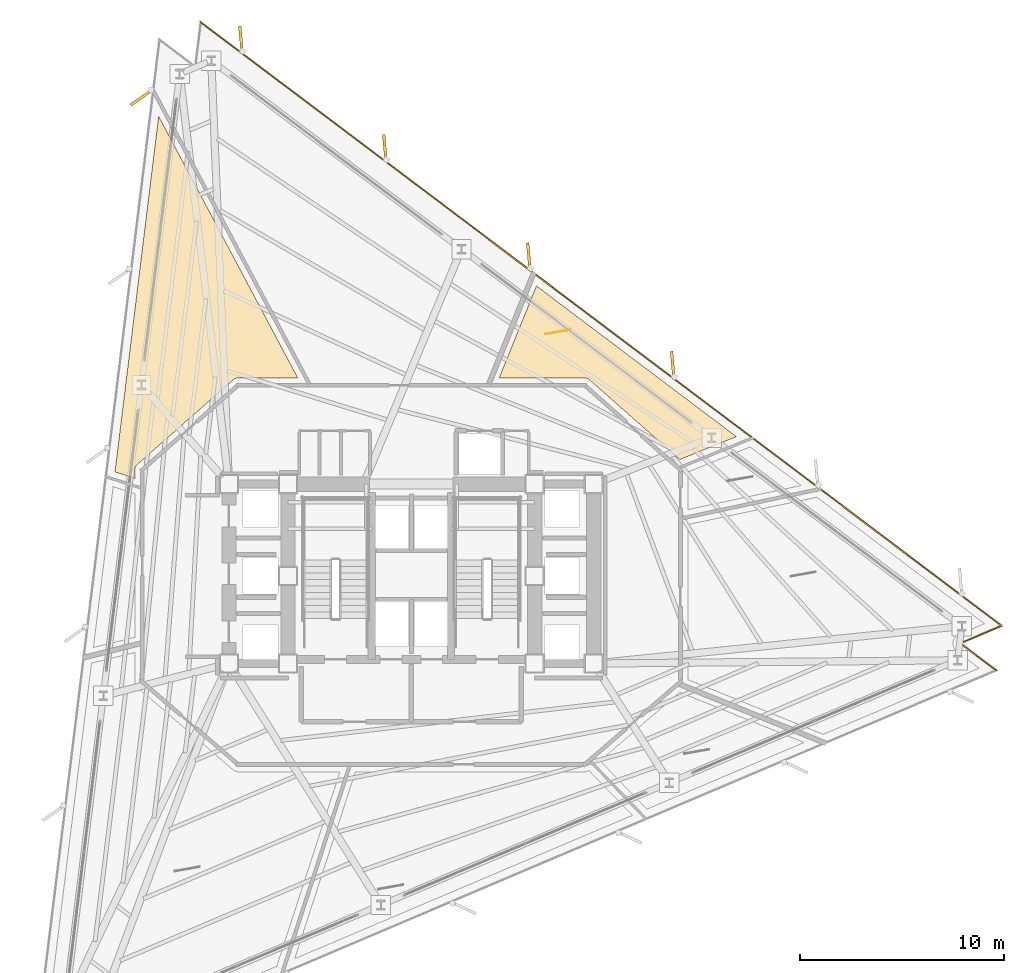
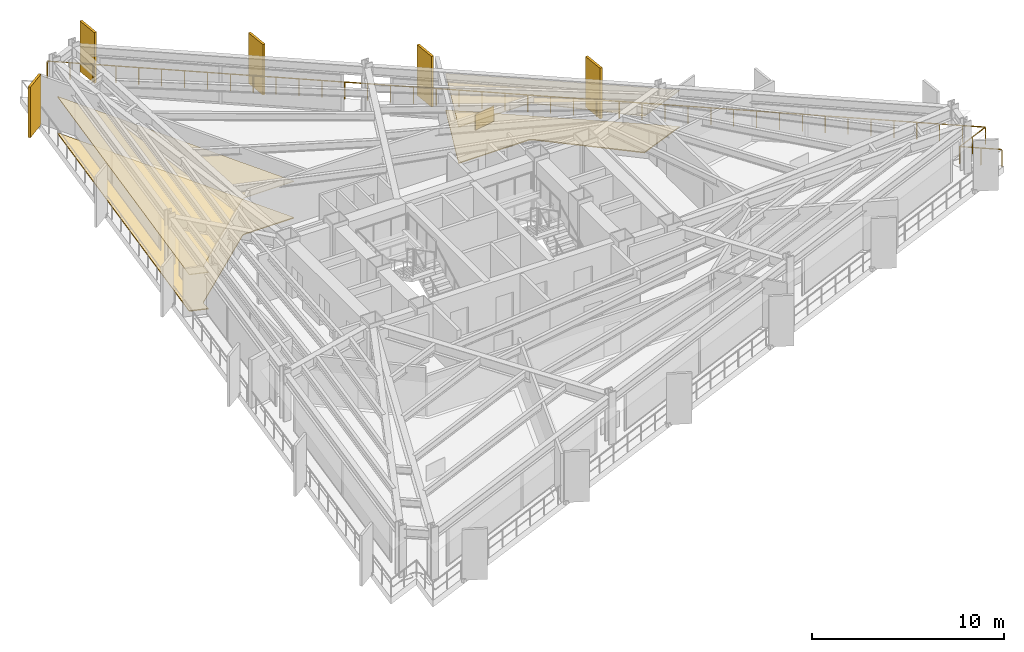
# One storey, part 13 of 13: 5 coverings, 5 shading devices, 1 railing.
"""IFC4 building model written with IfcOpenShell, lengths in metres."""

import ifcopenshell
import ifcopenshell.guid

model = None  # the IFC model being written
_history = None  # IfcOwnerHistory: only IFC2X3 demands one
_inside = {}  # id of a spatial element -> (the spatial element, [elements in it])
_under = {}  # id of a project, library or spatial element -> (it, [spatial elements below it])
_declared = {}  # id of a project -> (the project, [libraries it declares])
_typed = {}  # id of a type object -> (the type object, [elements of that type])
_made_of = {}  # id of a material, layer set ... -> (it, [elements and type objects made of it])


def new_model(schema):
    """Start an empty IFC model of exactly this schema.

    Asked for "IFC4X3", IfcOpenShell would pick the latest addendum, in which some entities
    have other attributes; the version numbers below select the first issue.
    IFC2X3 requires an IfcOwnerHistory on every rooted entity: one is made here for all.
    """
    global model, _history
    if schema == "IFC4X3":
        model = ifcopenshell.file(schema_version=(4, 3, 0, 0))
    else:
        model = ifcopenshell.file(schema=schema)
    _inside.clear()
    _under.clear()
    _declared.clear()
    _typed.clear()
    _made_of.clear()
    _history = None
    if model.schema == "IFC2X3":
        org = make("IfcOrganization", Name="unknown")
        user = make(
            "IfcPersonAndOrganization",
            ThePerson=make("IfcPerson", FamilyName="unknown"),
            TheOrganization=org,
        )
        app = make(
            "IfcApplication",
            ApplicationDeveloper=org,
            Version="unknown",
            ApplicationFullName="unknown",
            ApplicationIdentifier="unknown",
        )
        _history = make(
            "IfcOwnerHistory",
            OwningUser=user,
            OwningApplication=app,
            ChangeAction="ADDED",
            CreationDate=0,
        )
    return model


def make(cls, **values):
    """One entity of the class cls with the attributes given. An attribute that is None is left unset."""
    return model.create_entity(
        cls, **{name: value for name, value in values.items() if value is not None}
    )


def rooted(cls, **values):
    """An entity with a GlobalId (a new one), such as an element, a storey or a relation."""
    return make(cls, GlobalId=ifcopenshell.guid.new(), OwnerHistory=_history, **values)


def si_unit(unit_type, name, prefix=None):
    """IfcSIUnit, for example si_unit("LENGTHUNIT", "METRE", prefix="MILLI")."""
    return make("IfcSIUnit", UnitType=unit_type, Prefix=prefix, Name=name)


def assignment(units):
    """IfcUnitAssignment: the units of a project."""
    return None if units is None else make("IfcUnitAssignment", Units=units)


def point(xyz):
    """IfcCartesianPoint."""
    return None if xyz is None else make("IfcCartesianPoint", Coordinates=xyz)


def direction(xyz):
    """IfcDirection."""
    return None if xyz is None else make("IfcDirection", DirectionRatios=xyz)


def frame(location, z_axis=None, x_axis=None):
    """IfcAxis2Placement3D, a coordinate frame: its origin and axes. An axis left out is left unset."""
    return make(
        "IfcAxis2Placement3D",
        Location=point(location),
        Axis=direction(z_axis),
        RefDirection=direction(x_axis),
    )


def frame_2d(location, x_axis=None):
    """IfcAxis2Placement2D, a coordinate frame in the plane: its origin and x axis."""
    return make(
        "IfcAxis2Placement2D", Location=point(location), RefDirection=direction(x_axis)
    )


def origin():
    """The frame at (0, 0, 0) with its axes left unset."""
    return frame((0.0, 0.0, 0.0))


def origin_2d():
    """The frame at (0, 0) in the plane with its x axis left unset."""
    return frame_2d((0.0, 0.0))


def place(relative_to, where):
    """IfcLocalPlacement: puts the frame where relative to a parent placement (None: the world)."""
    return make(
        "IfcLocalPlacement", PlacementRelTo=relative_to, RelativePlacement=where
    )


def context(
    kind, dimensions, precision=None, world=None, true_north=None, identifier=None
):
    """IfcGeometricRepresentationContext, for example the 3D "Model" context."""
    return make(
        "IfcGeometricRepresentationContext",
        ContextIdentifier=identifier,
        ContextType=kind,
        CoordinateSpaceDimension=dimensions,
        Precision=precision,
        WorldCoordinateSystem=world,
        TrueNorth=true_north,
    )


def subcontext(parent, identifier, kind, view, scale=None):
    """IfcGeometricRepresentationSubContext, for example "Body" below "Model"."""
    return make(
        "IfcGeometricRepresentationSubContext",
        ContextIdentifier=identifier,
        ContextType=kind,
        ParentContext=parent,
        TargetScale=scale,
        TargetView=view,
    )


def project(units=None, contexts=None):
    """IfcProject with its units and contexts."""
    return rooted(
        "IfcProject",
        Name="project",
        RepresentationContexts=contexts,
        UnitsInContext=assignment(units),
    )


def spatial(cls, under=None, at=None, **own):
    """A site, building, storey or space (cls), placed at a placement, below another one or the project."""
    s = rooted(cls, ObjectPlacement=at, **own)
    if under is not None:
        _under.setdefault(under.id(), (under, []))[1].append(s)
    return s


def polyline(points):
    """IfcPolyline through the points."""
    return make("IfcPolyline", Points=[point(p) for p in points])


def profile(cls, at=None, kind="AREA", **sizes):
    """A parametric profile (cls). Its sizes go by their IFC names, for example OverallWidth=200.0."""
    return make(cls, ProfileType=kind, Position=at, **sizes)


def rectangle(**sizes):
    """IfcRectangleProfileDef."""
    return profile("IfcRectangleProfileDef", **sizes)


def outline(outer, holes=None, kind="AREA"):
    """IfcArbitraryClosedProfileDef: a profile drawn as a closed curve; with holes, ...WithVoids."""
    if holes is None:
        return make("IfcArbitraryClosedProfileDef", ProfileType=kind, OuterCurve=outer)
    return make(
        "IfcArbitraryProfileDefWithVoids",
        ProfileType=kind,
        OuterCurve=outer,
        InnerCurves=holes,
    )


def extrude(swept, where, along, depth):
    """IfcExtrudedAreaSolid: the profile swept, set in the frame where, extruded along a direction by depth."""
    return make(
        "IfcExtrudedAreaSolid",
        SweptArea=swept,
        Position=where,
        ExtrudedDirection=direction(along),
        Depth=depth,
    )


def shape(context_of_items, identifier, shape_type, items):
    """IfcShapeRepresentation: the items that make up one representation, for example the "Body"."""
    return make(
        "IfcShapeRepresentation",
        ContextOfItems=context_of_items,
        RepresentationIdentifier=identifier,
        RepresentationType=shape_type,
        Items=items,
    )


def material(Name=None, Category=None):
    """IfcMaterial."""
    return make("IfcMaterial", Name=Name, Category=Category)


def layer(
    of_material, thickness, ventilated=None, Name=None, Category=None, Priority=None
):
    """IfcMaterialLayer: one layer of a wall or slab, of a material (None: an air gap)."""
    return make(
        "IfcMaterialLayer",
        Material=of_material,
        LayerThickness=thickness,
        IsVentilated=ventilated,
        Name=Name,
        Category=Category,
        Priority=Priority,
    )


def layer_set(layers, Name=None):
    """IfcMaterialLayerSet."""
    return make("IfcMaterialLayerSet", MaterialLayers=layers, LayerSetName=Name)


def made_of(thing, what):
    """Note that an element or type object is made of a material, layer set ...; save() writes the relation."""
    if what is not None:
        _made_of.setdefault(what.id(), (what, []))[1].append(thing)
    return thing


def type_object(cls, material=None, **own):
    """A type object (cls), such as IfcWallType, which elements share."""
    return made_of(rooted(cls, **own), material)


def element(
    cls,
    number,
    at=None,
    inside=None,
    cuts=None,
    type_object=None,
    material=None,
    context=None,
    identifier="Body",
    shape_type=None,
    held_by="IfcProductDefinitionShape",
    body=None,
    shapes=None,
    **own,
):
    """One element of the class cls, such as IfcWall. Its Tag is "e" and its number.

    at: its placement. inside: the storey or other place that contains it. cuts: it is an
    opening in that element (IfcRelVoidsElement). A single representation is given by context,
    identifier, shape_type and body (its items); several are given by shapes. held_by: the class
    of the entity that holds the representations. save() writes the other relations.
    """
    e = rooted(cls, Tag="e%d" % number, ObjectPlacement=at, **own)
    if body is not None:
        shapes = [shape(context, identifier, shape_type, body)]
    if shapes is not None:
        e.Representation = make(held_by, Representations=shapes)
    if inside is not None:
        _inside.setdefault(inside.id(), (inside, []))[1].append(e)
    if cuts is not None:
        rooted(
            "IfcRelVoidsElement", RelatingBuildingElement=cuts, RelatedOpeningElement=e
        )
    if type_object is not None:
        _typed.setdefault(type_object.id(), (type_object, []))[1].append(e)
    return made_of(e, material)


def aggregate(whole, parts):
    """IfcRelAggregates: a whole, such as a stair, and the parts it consists of."""
    return rooted("IfcRelAggregates", RelatingObject=whole, RelatedObjects=parts)


def save(model, path):
    """Write the relations noted so far, then the file.

    IfcRelAggregates (storeys below a building ...), IfcRelContainedInSpatialStructure (elements
    in a storey), IfcRelDefinesByType, IfcRelAssociatesMaterial and IfcRelDeclares: one each for
    every whole, place, type object, material and project.
    """
    for whole, parts in _under.values():
        aggregate(whole, parts)
    for where, things in _inside.values():
        rooted(
            "IfcRelContainedInSpatialStructure",
            RelatedElements=things,
            RelatingStructure=where,
        )
    for kind, things in _typed.values():
        rooted("IfcRelDefinesByType", RelatedObjects=things, RelatingType=kind)
    for what, things in _made_of.values():
        rooted("IfcRelAssociatesMaterial", RelatedObjects=things, RelatingMaterial=what)
    for by, libraries in _declared.values():
        rooted("IfcRelDeclares", RelatingContext=by, RelatedDefinitions=libraries)
    model.write(path)


model = new_model("IFC4")

# Units and contexts
model_context = context("Model", 3, precision=1e-05, world=origin(), true_north=direction((0.0, 1.0)))
body_context = subcontext(model_context, "Body", "Model", "MODEL_VIEW")
ifc_project = project(units=[si_unit("LENGTHUNIT", "METRE"), si_unit("AREAUNIT", "SQUARE_METRE"), si_unit("VOLUMEUNIT", "CUBIC_METRE"), si_unit("PLANEANGLEUNIT", "RADIAN"), si_unit("MASSUNIT", "GRAM", prefix="KILO")], contexts=[model_context])

# Site, building, storey
site_placement = place(None, origin())
site = spatial("IfcSite", under=ifc_project, at=site_placement, CompositionType="ELEMENT")
building_placement = place(site_placement, origin())
building = spatial("IfcBuilding", under=site, at=building_placement, Name="Rocaltana Carrier Exchange", CompositionType="ELEMENT")
storey_placement = place(building_placement, frame((0.0, 0.0, 49.60009765625)))
storey = spatial("IfcBuildingStorey", under=building, at=storey_placement, Name="L15", CompositionType="ELEMENT", Elevation=49.60009765625)

# Coverings
ifc_material_1 = material(Name="Calcium Sulphate & Aluminium Pedestal", Category="aluminium")
ifc_layer_1 = layer(ifc_material_1, 0.06005859375)
ifc_layer_set_1 = layer_set([ifc_layer_1], Name="Calcium Sulphate & Aluminium Pedestal")
covering_type_1 = type_object("IfcCoveringType", Name="Anti-Static Raised Exchange Access Floor 60", PredefinedType="FLOORING", material=ifc_layer_set_1)
covering_1_placement = place(storey_placement, origin())
element("IfcCovering", 1, at=covering_1_placement, inside=storey, type_object=covering_type_1, Name="L15 Network Engineering Studio Finish Floor", PredefinedType="FLOORING", context=body_context, shape_type="SweptSolid", body=[
    extrude(outline(polyline([(15.944580078125, 6.830322265625), (13.16796875, 5.70849609375), (8.73828125, 9.619873046875), (8.727294921875, 9.629150390625), (8.720703125, 9.63427734375), (8.697265625, 9.651123046875), (8.690185546875, 9.655517578125), (8.6650390625, 9.669921875), (8.65771484375, 9.673583984375), (8.631103515625, 9.68505859375), (8.62353515625, 9.68798828125), (8.595947265625, 9.697021484375), (8.587890625, 9.698974609375), (8.5595703125, 9.704833984375), (8.551513671875, 9.706298828125), (8.522705078125, 9.709228515625), (8.514404296875, 9.709716796875), (8.5, 9.7099609375), (4.311279296875, 9.7099609375), (6.134521484375, 14.222900390625), (15.944580078125, 6.830322265625)])), origin(), (0.0, 0.0, 1.0), 0.059814453125),
])
covering_2_placement = place(storey_placement, origin())
element("IfcCovering", 2, at=covering_2_placement, inside=storey, type_object=covering_type_1, Name="L15 Photonic Integration Workshop Finish Floor", PredefinedType="FLOORING", context=body_context, shape_type="SweptSolid", body=[
    extrude(outline(polyline([(-12.3955078125, 22.545654296875), (-5.570556640625, 9.7099609375), (-8.5, 9.7099609375), (-8.514404296875, 9.709716796875), (-8.522705078125, 9.709228515625), (-8.551513671875, 9.706298828125), (-8.5595703125, 9.704833984375), (-8.587890625, 9.698974609375), (-8.595947265625, 9.697021484375), (-8.62353515625, 9.68798828125), (-8.631103515625, 9.68505859375), (-8.65771484375, 9.673583984375), (-8.6650390625, 9.669921875), (-8.690185546875, 9.655517578125), (-8.697265625, 9.651123046875), (-8.720703125, 9.63427734375), (-8.727294921875, 9.629150390625), (-8.73828125, 9.619873046875), (-13.438232421875, 5.469970703125), (-13.447998046875, 5.4609375), (-13.453369140625, 5.455810546875), (-13.471435546875, 5.436279296875), (-13.476318359375, 5.4306640625), (-13.492431640625, 5.409912109375), (-13.49658203125, 5.40380859375), (-13.5107421875, 5.38134765625), (-13.5146484375, 5.375), (-13.526611328125, 5.351318359375), (-13.529541015625, 5.344482421875), (-13.539306640625, 5.320068359375), (-13.541748046875, 5.31298828125), (-13.549072265625, 5.28759765625), (-13.55078125, 5.2802734375), (-13.555908203125, 5.25439453125), (-13.556884765625, 5.246826171875), (-13.559326171875, 5.220703125), (-13.559814453125, 5.213134765625), (-13.56005859375, 5.199951171875), (-13.56005859375, 4.784423828125), (-14.537353515625, 5.10205078125), (-12.3955078125, 22.545654296875)])), origin(), (0.0, 0.0, 1.0), 0.059814453125),
])
ifc_material_2 = material(Name="Mineral Fibre & Powder-Coated Aluminium", Category="aluminium")
ifc_layer_2 = layer(ifc_material_2, 0.044921875)
ifc_layer_set_2 = layer_set([ifc_layer_2], Name="Mineral Fibre & Powder-Coated Aluminium")
covering_type_2 = type_object("IfcCoveringType", Name="Micro-Perforated Acoustic Ceiling 45", PredefinedType="CEILING", material=ifc_layer_set_2)
covering_3_placement = place(storey_placement, frame((0.0, 0.0, 2.322998046875)))
element("IfcCovering", 3, at=covering_3_placement, inside=storey, type_object=covering_type_2, Name="L15 Network Engineering Studio Acoustic Ceiling", PredefinedType="CEILING", context=body_context, shape_type="SweptSolid", body=[
    extrude(outline(polyline([(15.944580078125, 6.830322265625), (13.16796875, 5.70849609375), (8.73828125, 9.619873046875), (8.727294921875, 9.629150390625), (8.720703125, 9.63427734375), (8.697265625, 9.651123046875), (8.690185546875, 9.655517578125), (8.6650390625, 9.669921875), (8.65771484375, 9.673583984375), (8.631103515625, 9.68505859375), (8.62353515625, 9.68798828125), (8.595947265625, 9.697021484375), (8.587890625, 9.698974609375), (8.5595703125, 9.704833984375), (8.551513671875, 9.706298828125), (8.522705078125, 9.709228515625), (8.514404296875, 9.709716796875), (8.5, 9.7099609375), (4.311279296875, 9.7099609375), (6.134521484375, 14.222900390625), (15.944580078125, 6.830322265625)])), origin(), (0.0, 0.0, 1.0), 0.044921875),
])
covering_4_placement = place(storey_placement, frame((0.0, 0.0, 2.322998046875)))
element("IfcCovering", 4, at=covering_4_placement, inside=storey, type_object=covering_type_2, Name="L15 Photonic Integration Workshop Acoustic Ceiling", PredefinedType="CEILING", context=body_context, shape_type="SweptSolid", body=[
    extrude(outline(polyline([(-12.3955078125, 22.545654296875), (-5.570556640625, 9.7099609375), (-8.5, 9.7099609375), (-8.514404296875, 9.709716796875), (-8.522705078125, 9.709228515625), (-8.551513671875, 9.706298828125), (-8.5595703125, 9.704833984375), (-8.587890625, 9.698974609375), (-8.595947265625, 9.697021484375), (-8.62353515625, 9.68798828125), (-8.631103515625, 9.68505859375), (-8.65771484375, 9.673583984375), (-8.6650390625, 9.669921875), (-8.690185546875, 9.655517578125), (-8.697265625, 9.651123046875), (-8.720703125, 9.63427734375), (-8.727294921875, 9.629150390625), (-8.73828125, 9.619873046875), (-13.438232421875, 5.469970703125), (-13.447998046875, 5.4609375), (-13.453369140625, 5.455810546875), (-13.471435546875, 5.436279296875), (-13.476318359375, 5.4306640625), (-13.492431640625, 5.409912109375), (-13.49658203125, 5.40380859375), (-13.5107421875, 5.38134765625), (-13.5146484375, 5.375), (-13.526611328125, 5.351318359375), (-13.529541015625, 5.344482421875), (-13.539306640625, 5.320068359375), (-13.541748046875, 5.31298828125), (-13.549072265625, 5.28759765625), (-13.55078125, 5.2802734375), (-13.555908203125, 5.25439453125), (-13.556884765625, 5.246826171875), (-13.559326171875, 5.220703125), (-13.559814453125, 5.213134765625), (-13.56005859375, 5.199951171875), (-13.56005859375, 4.784423828125), (-14.537353515625, 5.10205078125), (-12.3955078125, 22.545654296875)])), origin(), (0.0, 0.0, 1.0), 0.044921875),
])
ifc_material_3 = material(Name="Honed Piedra Muneca Sandstone", Category="masonry")
ifc_layer_3 = layer(ifc_material_3, 0.034912109375)
ifc_layer_set_3 = layer_set([ifc_layer_3], Name="Honed Piedra Muneca Sandstone")
covering_type_3 = type_object("IfcCoveringType", Name="Stone Facade Cladding 35", PredefinedType="CLADDING", material=ifc_layer_set_3)
covering_5_placement = place(storey_placement, frame((7.176025390625, 11.96630859375, 0.0), z_axis=(0.0, 0.0, 1.0), x_axis=(0.984807753012, 0.173648177667, 0.0)))
element("IfcCovering", 5, at=covering_5_placement, inside=storey, type_object=covering_type_3, Name="L15 Stone Facade Cladding Panel 6", PredefinedType="CLADDING", context=body_context, shape_type="SweptSolid", body=[
    extrude(rectangle(XDim=1.25, YDim=0.034912109375, at=origin_2d()), origin(), (0.0, 0.0, 1.0), 1.050048828125),
])

# Shading devices
ifc_material_4 = material(Name="Honed Bogota Sandstone & Concrete C45/55", Category="masonry")
ifc_layer_4 = layer(ifc_material_4, 0.139892578125)
ifc_layer_set_4 = layer_set([ifc_layer_4], Name="Honed Bogota Sandstone & Concrete C45/55")
shading_device_type = type_object("IfcShadingDeviceType", Name="Vertical Sandstone Shading Fin 1320x140", PredefinedType="USERDEFINED", material=ifc_layer_set_4)
for number, where, z_axis, x_axis, name in (
    (6, (12.822509765625, 10.361083984375, -0.1201171875), (0.0, 0.0, 1.0), (-0.087155742748, 0.996194698092, 0.0), "L15 Sandstone Vertical Fin F1-03"),
    (7, (5.7626953125, 15.680908203125, -0.1201171875), (0.0, 0.0, 1.0), (-0.087155742748, 0.996194698092, 0.0), "L15 Sandstone Vertical Fin F1-04"),
    (8, (-1.29736328125, 21.001220703125, -0.1201171875), (0.0, 0.0, 1.0), (-0.087155742748, 0.996194698092, 0.0), "L15 Sandstone Vertical Fin F1-05"),
    (9, (-8.357421875, 26.321044921875, -0.1201171875), (0.0, 0.0, 1.0), (-0.087155742748, 0.996194698092, 0.0), "L15 Sandstone Vertical Fin F1-06"),
    (10, (-13.2294921875, 23.472412109375, -0.1201171875), (0.0, 0.0, 1.0), (-0.819152044289, -0.573576436351, 0.0), "L15 Sandstone Vertical Fin F2-01"),
):
    element("IfcShadingDevice", number, at=place(storey_placement, frame(where, z_axis=z_axis, x_axis=x_axis)), inside=storey, type_object=shading_device_type, Name=name, ObjectType="FIN", PredefinedType="USERDEFINED", context=body_context, shape_type="SweptSolid", body=[
        extrude(rectangle(XDim=1.320068359375, YDim=0.139892578125, at=origin_2d()), origin(), (0.0, 0.0, 1.0), 3.218017578125),
    ])

# Railing
ifc_material_5 = material(Name="Powder-Coated Aluminium 6063-T6", Category="aluminium")
ifc_layer_5 = layer(ifc_material_5, 0.06005859375)
ifc_layer_set_5 = layer_set([ifc_layer_5], Name="Powder-Coated Aluminium 6063-T6")
railing_type = type_object("IfcRailingType", Name="Wind-Floor & Terrace Perimeter Guardrail 1100", PredefinedType="GUARDRAIL", material=ifc_layer_set_5)
railing_placement = place(storey_placement, frame((-10.332763671875, 27.15771484375, 0.0)))
element("IfcRailing", 11, at=railing_placement, inside=storey, type_object=railing_type, Name="L15 Perimeter Balcony Guardrail 3", PredefinedType="GUARDRAIL", context=body_context, shape_type="SweptSolid", body=[
    extrude(rectangle(XDim=0.048095703125, YDim=0.048095703125, at=origin_2d()), frame((0.0, 0.0, 1.076171875), z_axis=(0.798636489562, -0.60181372329, 0.0), x_axis=(0.60181372329, 0.798636489562, 0.0)), (0.0, 0.0, 1.0), 49.192138671875),
    extrude(rectangle(XDim=0.048095703125, YDim=0.048095703125, at=origin_2d()), frame((39.28662109375, -29.6044921875, 1.076171875), z_axis=(-0.92050559585, -0.390729379504, 0.0), x_axis=(0.390729379504, -0.92050559585, 0.0)), (0.0, 0.0, 1.0), 2.199951171875),
    extrude(rectangle(XDim=0.048095703125, YDim=0.048095703125, at=origin_2d()), frame((37.261474609375, -30.464111328125, 1.076171875), z_axis=(0.798653030423, -0.601791772125, 0.0), x_axis=(0.601791772125, 0.798653030423, 0.0)), (0.0, 0.0, 1.0), 2.199951171875),
    extrude(rectangle(XDim=0.0419921875, YDim=0.0419921875, at=origin_2d()), origin(), (0.0, 0.0, 1.0), 1.052001953125),
    extrude(rectangle(XDim=0.0419921875, YDim=0.0419921875, at=origin_2d()), frame((0.958251953125, -0.72216796875, 0.0)), (0.0, 0.0, 1.0), 1.052001953125),
    extrude(rectangle(XDim=0.0419921875, YDim=0.0419921875, at=origin_2d()), frame((1.91650390625, -1.444091796875, 0.0)), (0.0, 0.0, 1.0), 1.052001953125),
    extrude(rectangle(XDim=0.0419921875, YDim=0.0419921875, at=origin_2d()), frame((2.87451171875, -2.166259765625, 0.0)), (0.0, 0.0, 1.0), 1.052001953125),
    extrude(rectangle(XDim=0.0419921875, YDim=0.0419921875, at=origin_2d()), frame((3.832763671875, -2.88818359375, 0.0)), (0.0, 0.0, 1.0), 1.052001953125),
    extrude(rectangle(XDim=0.0419921875, YDim=0.0419921875, at=origin_2d()), frame((4.791015625, -3.6103515625, 0.0)), (0.0, 0.0, 1.0), 1.052001953125),
    extrude(rectangle(XDim=0.0419921875, YDim=0.0419921875, at=origin_2d()), frame((5.749267578125, -4.332275390625, 0.0)), (0.0, 0.0, 1.0), 1.052001953125),
    extrude(rectangle(XDim=0.0419921875, YDim=0.0419921875, at=origin_2d()), frame((6.70751953125, -5.054443359375, 0.0)), (0.0, 0.0, 1.0), 1.052001953125),
    extrude(rectangle(XDim=0.0419921875, YDim=0.0419921875, at=origin_2d()), frame((7.665771484375, -5.7763671875, 0.0)), (0.0, 0.0, 1.0), 1.052001953125),
    extrude(rectangle(XDim=0.0419921875, YDim=0.0419921875, at=origin_2d()), frame((8.623779296875, -6.49853515625, 0.0)), (0.0, 0.0, 1.0), 1.052001953125),
    extrude(rectangle(XDim=0.0419921875, YDim=0.0419921875, at=origin_2d()), frame((9.58203125, -7.220703125, 0.0)), (0.0, 0.0, 1.0), 1.052001953125),
    extrude(rectangle(XDim=0.0419921875, YDim=0.0419921875, at=origin_2d()), frame((10.540283203125, -7.942626953125, 0.0)), (0.0, 0.0, 1.0), 1.052001953125),
    extrude(rectangle(XDim=0.0419921875, YDim=0.0419921875, at=origin_2d()), frame((11.49853515625, -8.664794921875, 0.0)), (0.0, 0.0, 1.0), 1.052001953125),
    extrude(rectangle(XDim=0.0419921875, YDim=0.0419921875, at=origin_2d()), frame((12.456787109375, -9.38671875, 0.0)), (0.0, 0.0, 1.0), 1.052001953125),
    extrude(rectangle(XDim=0.0419921875, YDim=0.0419921875, at=origin_2d()), frame((13.4150390625, -10.10888671875, 0.0)), (0.0, 0.0, 1.0), 1.052001953125),
    extrude(rectangle(XDim=0.0419921875, YDim=0.0419921875, at=origin_2d()), frame((14.373046875, -10.830810546875, 0.0)), (0.0, 0.0, 1.0), 1.052001953125),
    extrude(rectangle(XDim=0.0419921875, YDim=0.0419921875, at=origin_2d()), frame((15.331298828125, -11.552978515625, 0.0)), (0.0, 0.0, 1.0), 1.052001953125),
    extrude(rectangle(XDim=0.0419921875, YDim=0.0419921875, at=origin_2d()), frame((16.28955078125, -12.275146484375, 0.0)), (0.0, 0.0, 1.0), 1.052001953125),
    extrude(rectangle(XDim=0.0419921875, YDim=0.0419921875, at=origin_2d()), frame((17.247802734375, -12.9970703125, 0.0)), (0.0, 0.0, 1.0), 1.052001953125),
    extrude(rectangle(XDim=0.0419921875, YDim=0.0419921875, at=origin_2d()), frame((18.2060546875, -13.71923828125, 0.0)), (0.0, 0.0, 1.0), 1.052001953125),
    extrude(rectangle(XDim=0.0419921875, YDim=0.0419921875, at=origin_2d()), frame((19.164306640625, -14.441162109375, 0.0)), (0.0, 0.0, 1.0), 1.052001953125),
    extrude(rectangle(XDim=0.0419921875, YDim=0.0419921875, at=origin_2d()), frame((20.122314453125, -15.163330078125, 0.0)), (0.0, 0.0, 1.0), 1.052001953125),
    extrude(rectangle(XDim=0.0419921875, YDim=0.0419921875, at=origin_2d()), frame((21.08056640625, -15.88525390625, 0.0)), (0.0, 0.0, 1.0), 1.052001953125),
    extrude(rectangle(XDim=0.0419921875, YDim=0.0419921875, at=origin_2d()), frame((22.038818359375, -16.607421875, 0.0)), (0.0, 0.0, 1.0), 1.052001953125),
    extrude(rectangle(XDim=0.0419921875, YDim=0.0419921875, at=origin_2d()), frame((22.9970703125, -17.329345703125, 0.0)), (0.0, 0.0, 1.0), 1.052001953125),
    extrude(rectangle(XDim=0.0419921875, YDim=0.0419921875, at=origin_2d()), frame((23.955322265625, -18.051513671875, 0.0)), (0.0, 0.0, 1.0), 1.052001953125),
    extrude(rectangle(XDim=0.0419921875, YDim=0.0419921875, at=origin_2d()), frame((24.91357421875, -18.773681640625, 0.0)), (0.0, 0.0, 1.0), 1.052001953125),
    extrude(rectangle(XDim=0.0419921875, YDim=0.0419921875, at=origin_2d()), frame((25.87158203125, -19.49560546875, 0.0)), (0.0, 0.0, 1.0), 1.052001953125),
    extrude(rectangle(XDim=0.0419921875, YDim=0.0419921875, at=origin_2d()), frame((26.829833984375, -20.2177734375, 0.0)), (0.0, 0.0, 1.0), 1.052001953125),
    extrude(rectangle(XDim=0.0419921875, YDim=0.0419921875, at=origin_2d()), frame((27.7880859375, -20.939697265625, 0.0)), (0.0, 0.0, 1.0), 1.052001953125),
    extrude(rectangle(XDim=0.0419921875, YDim=0.0419921875, at=origin_2d()), frame((28.746337890625, -21.661865234375, 0.0)), (0.0, 0.0, 1.0), 1.052001953125),
    extrude(rectangle(XDim=0.0419921875, YDim=0.0419921875, at=origin_2d()), frame((29.70458984375, -22.3837890625, 0.0)), (0.0, 0.0, 1.0), 1.052001953125),
    extrude(rectangle(XDim=0.0419921875, YDim=0.0419921875, at=origin_2d()), frame((30.662841796875, -23.10595703125, 0.0)), (0.0, 0.0, 1.0), 1.052001953125),
    extrude(rectangle(XDim=0.0419921875, YDim=0.0419921875, at=origin_2d()), frame((31.620849609375, -23.828125, 0.0)), (0.0, 0.0, 1.0), 1.052001953125),
    extrude(rectangle(XDim=0.0419921875, YDim=0.0419921875, at=origin_2d()), frame((32.5791015625, -24.550048828125, 0.0)), (0.0, 0.0, 1.0), 1.052001953125),
    extrude(rectangle(XDim=0.0419921875, YDim=0.0419921875, at=origin_2d()), frame((33.537353515625, -25.272216796875, 0.0)), (0.0, 0.0, 1.0), 1.052001953125),
    extrude(rectangle(XDim=0.0419921875, YDim=0.0419921875, at=origin_2d()), frame((34.49560546875, -25.994140625, 0.0)), (0.0, 0.0, 1.0), 1.052001953125),
    extrude(rectangle(XDim=0.0419921875, YDim=0.0419921875, at=origin_2d()), frame((35.453857421875, -26.71630859375, 0.0)), (0.0, 0.0, 1.0), 1.052001953125),
    extrude(rectangle(XDim=0.0419921875, YDim=0.0419921875, at=origin_2d()), frame((36.412109375, -27.438232421875, 0.0)), (0.0, 0.0, 1.0), 1.052001953125),
    extrude(rectangle(XDim=0.0419921875, YDim=0.0419921875, at=origin_2d()), frame((37.3701171875, -28.160400390625, 0.0)), (0.0, 0.0, 1.0), 1.052001953125),
    extrude(rectangle(XDim=0.0419921875, YDim=0.0419921875, at=origin_2d()), frame((38.328369140625, -28.88232421875, 0.0)), (0.0, 0.0, 1.0), 1.052001953125),
    extrude(rectangle(XDim=0.0419921875, YDim=0.0419921875, at=origin_2d()), frame((39.28662109375, -29.6044921875, 0.0)), (0.0, 0.0, 1.0), 1.052001953125),
    extrude(rectangle(XDim=0.0419921875, YDim=0.0419921875, at=origin_2d()), frame((38.27392578125, -30.0341796875, 0.0)), (0.0, 0.0, 1.0), 1.052001953125),
    extrude(rectangle(XDim=0.0419921875, YDim=0.0419921875, at=origin_2d()), frame((37.261474609375, -30.464111328125, 0.0)), (0.0, 0.0, 1.0), 1.052001953125),
    extrude(rectangle(XDim=0.0419921875, YDim=0.0419921875, at=origin_2d()), frame((38.14013671875, -31.1259765625, 0.0)), (0.0, 0.0, 1.0), 1.052001953125),
    extrude(rectangle(XDim=0.0419921875, YDim=0.0419921875, at=origin_2d()), frame((39.0185546875, -31.7880859375, 0.0)), (0.0, 0.0, 1.0), 1.052001953125),
])

save(model, "model.ifc")
